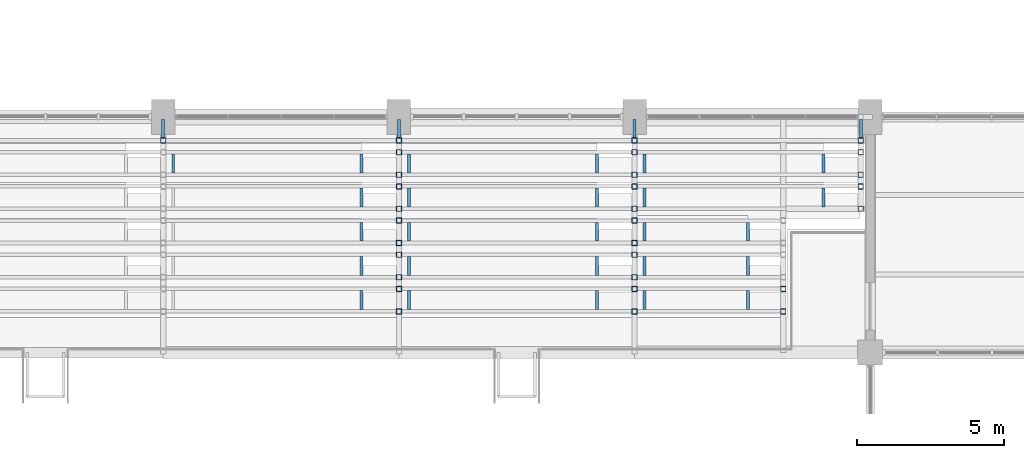
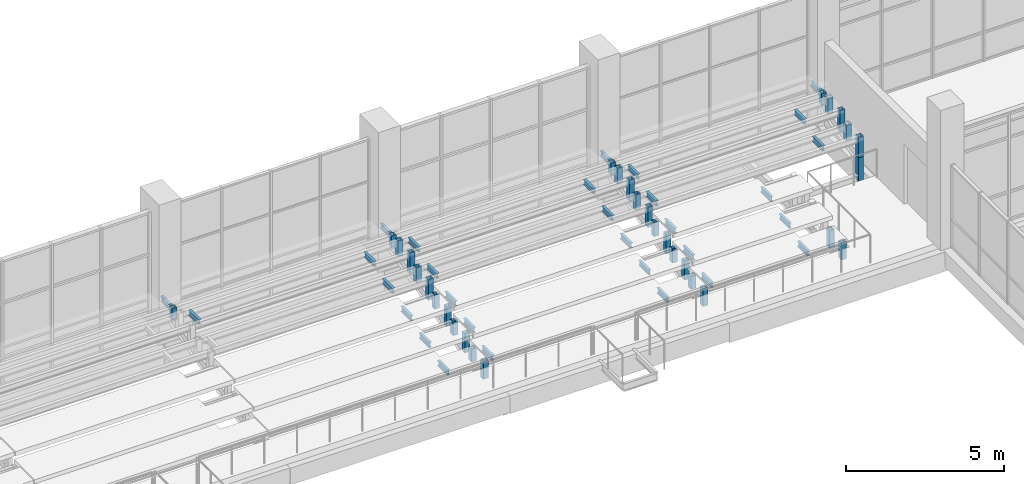
# One storey, part 67 of 122: 31 members, 30 beams.
"""IFC4 building model written with IfcOpenShell, lengths in metres."""

import ifcopenshell
import ifcopenshell.guid

model = None  # the IFC model being written
_history = None  # IfcOwnerHistory: only IFC2X3 demands one
_inside = {}  # id of a spatial element -> (the spatial element, [elements in it])
_under = {}  # id of a project, library or spatial element -> (it, [spatial elements below it])
_declared = {}  # id of a project -> (the project, [libraries it declares])
_typed = {}  # id of a type object -> (the type object, [elements of that type])
_made_of = {}  # id of a material, layer set ... -> (it, [elements and type objects made of it])


def new_model(schema):
    """Start an empty IFC model of exactly this schema.

    Asked for "IFC4X3", IfcOpenShell would pick the latest addendum, in which some entities
    have other attributes; the version numbers below select the first issue.
    IFC2X3 requires an IfcOwnerHistory on every rooted entity: one is made here for all.
    """
    global model, _history
    if schema == "IFC4X3":
        model = ifcopenshell.file(schema_version=(4, 3, 0, 0))
    else:
        model = ifcopenshell.file(schema=schema)
    _inside.clear()
    _under.clear()
    _declared.clear()
    _typed.clear()
    _made_of.clear()
    _history = None
    if model.schema == "IFC2X3":
        org = make("IfcOrganization", Name="unknown")
        user = make(
            "IfcPersonAndOrganization",
            ThePerson=make("IfcPerson", FamilyName="unknown"),
            TheOrganization=org,
        )
        app = make(
            "IfcApplication",
            ApplicationDeveloper=org,
            Version="unknown",
            ApplicationFullName="unknown",
            ApplicationIdentifier="unknown",
        )
        _history = make(
            "IfcOwnerHistory",
            OwningUser=user,
            OwningApplication=app,
            ChangeAction="ADDED",
            CreationDate=0,
        )
    return model


def make(cls, **values):
    """One entity of the class cls with the attributes given. An attribute that is None is left unset."""
    return model.create_entity(
        cls, **{name: value for name, value in values.items() if value is not None}
    )


def rooted(cls, **values):
    """An entity with a GlobalId (a new one), such as an element, a storey or a relation."""
    return make(cls, GlobalId=ifcopenshell.guid.new(), OwnerHistory=_history, **values)


def si_unit(unit_type, name, prefix=None):
    """IfcSIUnit, for example si_unit("LENGTHUNIT", "METRE", prefix="MILLI")."""
    return make("IfcSIUnit", UnitType=unit_type, Prefix=prefix, Name=name)


def assignment(units):
    """IfcUnitAssignment: the units of a project."""
    return None if units is None else make("IfcUnitAssignment", Units=units)


def point(xyz):
    """IfcCartesianPoint."""
    return None if xyz is None else make("IfcCartesianPoint", Coordinates=xyz)


def direction(xyz):
    """IfcDirection."""
    return None if xyz is None else make("IfcDirection", DirectionRatios=xyz)


def frame(location, z_axis=None, x_axis=None):
    """IfcAxis2Placement3D, a coordinate frame: its origin and axes. An axis left out is left unset."""
    return make(
        "IfcAxis2Placement3D",
        Location=point(location),
        Axis=direction(z_axis),
        RefDirection=direction(x_axis),
    )


def frame_2d(location, x_axis=None):
    """IfcAxis2Placement2D, a coordinate frame in the plane: its origin and x axis."""
    return make(
        "IfcAxis2Placement2D", Location=point(location), RefDirection=direction(x_axis)
    )


def origin():
    """The frame at (0, 0, 0) with its axes left unset."""
    return frame((0.0, 0.0, 0.0))


def origin_2d():
    """The frame at (0, 0) in the plane with its x axis left unset."""
    return frame_2d((0.0, 0.0))


def place(relative_to, where):
    """IfcLocalPlacement: puts the frame where relative to a parent placement (None: the world)."""
    return make(
        "IfcLocalPlacement", PlacementRelTo=relative_to, RelativePlacement=where
    )


def context(
    kind, dimensions, precision=None, world=None, true_north=None, identifier=None
):
    """IfcGeometricRepresentationContext, for example the 3D "Model" context."""
    return make(
        "IfcGeometricRepresentationContext",
        ContextIdentifier=identifier,
        ContextType=kind,
        CoordinateSpaceDimension=dimensions,
        Precision=precision,
        WorldCoordinateSystem=world,
        TrueNorth=true_north,
    )


def subcontext(parent, identifier, kind, view, scale=None):
    """IfcGeometricRepresentationSubContext, for example "Body" below "Model"."""
    return make(
        "IfcGeometricRepresentationSubContext",
        ContextIdentifier=identifier,
        ContextType=kind,
        ParentContext=parent,
        TargetScale=scale,
        TargetView=view,
    )


def project(units=None, contexts=None):
    """IfcProject with its units and contexts."""
    return rooted(
        "IfcProject",
        Name="project",
        RepresentationContexts=contexts,
        UnitsInContext=assignment(units),
    )


def spatial(cls, under=None, at=None, **own):
    """A site, building, storey or space (cls), placed at a placement, below another one or the project."""
    s = rooted(cls, ObjectPlacement=at, **own)
    if under is not None:
        _under.setdefault(under.id(), (under, []))[1].append(s)
    return s


def profile(cls, at=None, kind="AREA", **sizes):
    """A parametric profile (cls). Its sizes go by their IFC names, for example OverallWidth=200.0."""
    return make(cls, ProfileType=kind, Position=at, **sizes)


def hollow_rectangle(**sizes):
    """IfcRectangleHollowProfileDef."""
    return profile("IfcRectangleHollowProfileDef", **sizes)


def i_section(**sizes):
    """IfcIShapeProfileDef."""
    return profile("IfcIShapeProfileDef", **sizes)


def extrude(swept, where, along, depth):
    """IfcExtrudedAreaSolid: the profile swept, set in the frame where, extruded along a direction by depth."""
    return make(
        "IfcExtrudedAreaSolid",
        SweptArea=swept,
        Position=where,
        ExtrudedDirection=direction(along),
        Depth=depth,
    )


def shape(context_of_items, identifier, shape_type, items):
    """IfcShapeRepresentation: the items that make up one representation, for example the "Body"."""
    return make(
        "IfcShapeRepresentation",
        ContextOfItems=context_of_items,
        RepresentationIdentifier=identifier,
        RepresentationType=shape_type,
        Items=items,
    )


def material(Name=None, Category=None):
    """IfcMaterial."""
    return make("IfcMaterial", Name=Name, Category=Category)


def material_profile(
    of_material, cross_section, Name=None, Category=None, Priority=None
):
    """IfcMaterialProfile: a cross section and its material."""
    return make(
        "IfcMaterialProfile",
        Name=Name,
        Material=of_material,
        Profile=cross_section,
        Priority=Priority,
        Category=Category,
    )


def profile_set(profiles, Name=None, composite=None):
    """IfcMaterialProfileSet."""
    return make(
        "IfcMaterialProfileSet",
        Name=Name,
        MaterialProfiles=profiles,
        CompositeProfile=composite,
    )


def made_of(thing, what):
    """Note that an element or type object is made of a material, layer set ...; save() writes the relation."""
    if what is not None:
        _made_of.setdefault(what.id(), (what, []))[1].append(thing)
    return thing


def type_object(cls, material=None, **own):
    """A type object (cls), such as IfcWallType, which elements share."""
    return made_of(rooted(cls, **own), material)


def element(
    cls,
    number,
    at=None,
    inside=None,
    cuts=None,
    type_object=None,
    material=None,
    context=None,
    identifier="Body",
    shape_type=None,
    held_by="IfcProductDefinitionShape",
    body=None,
    shapes=None,
    **own,
):
    """One element of the class cls, such as IfcWall. Its Tag is "e" and its number.

    at: its placement. inside: the storey or other place that contains it. cuts: it is an
    opening in that element (IfcRelVoidsElement). A single representation is given by context,
    identifier, shape_type and body (its items); several are given by shapes. held_by: the class
    of the entity that holds the representations. save() writes the other relations.
    """
    e = rooted(cls, Tag="e%d" % number, ObjectPlacement=at, **own)
    if body is not None:
        shapes = [shape(context, identifier, shape_type, body)]
    if shapes is not None:
        e.Representation = make(held_by, Representations=shapes)
    if inside is not None:
        _inside.setdefault(inside.id(), (inside, []))[1].append(e)
    if cuts is not None:
        rooted(
            "IfcRelVoidsElement", RelatingBuildingElement=cuts, RelatedOpeningElement=e
        )
    if type_object is not None:
        _typed.setdefault(type_object.id(), (type_object, []))[1].append(e)
    return made_of(e, material)


def aggregate(whole, parts):
    """IfcRelAggregates: a whole, such as a stair, and the parts it consists of."""
    return rooted("IfcRelAggregates", RelatingObject=whole, RelatedObjects=parts)


def save(model, path):
    """Write the relations noted so far, then the file.

    IfcRelAggregates (storeys below a building ...), IfcRelContainedInSpatialStructure (elements
    in a storey), IfcRelDefinesByType, IfcRelAssociatesMaterial and IfcRelDeclares: one each for
    every whole, place, type object, material and project.
    """
    for whole, parts in _under.values():
        aggregate(whole, parts)
    for where, things in _inside.values():
        rooted(
            "IfcRelContainedInSpatialStructure",
            RelatedElements=things,
            RelatingStructure=where,
        )
    for kind, things in _typed.values():
        rooted("IfcRelDefinesByType", RelatedObjects=things, RelatingType=kind)
    for what, things in _made_of.values():
        rooted("IfcRelAssociatesMaterial", RelatedObjects=things, RelatingMaterial=what)
    for by, libraries in _declared.values():
        rooted("IfcRelDeclares", RelatingContext=by, RelatedDefinitions=libraries)
    model.write(path)


model = new_model("IFC4")

# Units and contexts
model_context = context("Model", 3, precision=1e-05, world=origin(), true_north=direction((0.0, 1.0)))
body_context = subcontext(model_context, "Body", "Model", "MODEL_VIEW")
ifc_project = project(units=[si_unit("LENGTHUNIT", "METRE"), si_unit("AREAUNIT", "SQUARE_METRE"), si_unit("VOLUMEUNIT", "CUBIC_METRE"), si_unit("PLANEANGLEUNIT", "RADIAN"), si_unit("MASSUNIT", "GRAM", prefix="KILO")], contexts=[model_context])

# Site, building, storey
site_placement = place(None, origin())
site = spatial("IfcSite", under=ifc_project, at=site_placement, CompositionType="ELEMENT")
building_placement = place(site_placement, origin())
building = spatial("IfcBuilding", under=site, at=building_placement, Name="Tenunan Teduh Sports Hall", CompositionType="ELEMENT")
storey_placement = place(building_placement, frame((0.0, 0.0, 5.39990234375)))
storey = spatial("IfcBuildingStorey", under=building, at=storey_placement, Name="L01", CompositionType="ELEMENT", Elevation=5.39990234375)

# Beams
ifc_material_1 = material(Name="Steel S355", Category="steel")
ifc_material_profile_1 = material_profile(ifc_material_1, i_section(OverallWidth=0.10009765625, OverallDepth=0.199951171875, WebThickness=0.005615234375, FlangeThickness=0.008544921875, FilletRadius=0.011962890625, at=origin_2d()), Name="IPE 200")
ifc_profile_set_1 = profile_set([ifc_material_profile_1], Name="Steel S355")
beam_type = type_object("IfcBeamType", Name="JST-IPE200", PredefinedType="JOIST", material=ifc_profile_set_1)
for number, where, z_axis, x_axis, name in (
    (1, (30.0, 45.2900390625, 1.380126953125), (0.0, 1.0, 0.0), (-1.0, 0.0, 0.0), "BM-J-01-L01-2396"),
    (2, (38.0, 45.2900390625, 1.380126953125), (0.0, 1.0, 0.0), (-1.0, 0.0, 0.0), "BM-J-01-L01-2398"),
    (3, (46.0, 45.2900390625, 1.380126953125), (0.0, 1.0, 0.0), (-1.0, 0.0, 0.0), "BM-J-01-L01-2400"),
    (4, (53.679931640625, 45.2900390625, 1.380126953125), (0.0, 1.0, 0.0), (-1.0, 0.0, 0.0), "BM-J-01-L01-2403"),
):
    element("IfcBeam", number, at=place(storey_placement, frame(where, z_axis=z_axis, x_axis=x_axis)), inside=storey, type_object=beam_type, Name=name, PredefinedType="JOIST", context=body_context, shape_type="SweptSolid", body=[
        extrude(i_section(OverallWidth=0.10009765625, OverallDepth=0.199951171875, WebThickness=0.005615234375, FlangeThickness=0.008544921875, FilletRadius=0.011962890625, at=origin_2d()), origin(), (0.0, 0.0, 1.0), 0.619873046875),
    ])
beam_1_placement = place(storey_placement, frame((36.72998046875, 39.4599609375, 0.070068359375), z_axis=(0.0, 1.0, 0.0), x_axis=(-1.0, 0.0, 0.0)))
element("IfcBeam", 5, at=beam_1_placement, inside=storey, type_object=beam_type, Name="BM-J-01-L01-2479", PredefinedType="JOIST", context=body_context, shape_type="SweptSolid", body=[
    extrude(i_section(OverallWidth=0.10009765625, OverallDepth=0.199951171875, WebThickness=0.005615234375, FlangeThickness=0.008544921875, FilletRadius=0.011962890625, at=origin_2d()), origin(), (0.0, 0.0, 1.0), 0.64013671875),
])
for number, where, z_axis, x_axis, name in (
    (6, (36.72998046875, 40.6201171875, 0.425048828125), (0.0, 1.0, 0.0), (-1.0, 0.0, 0.0), "BM-J-01-L01-2483"),
    (7, (36.72998046875, 41.780029296875, 0.75), (0.0, 1.0, 0.0), (-1.0, 0.0, 0.0), "BM-J-01-L01-2487"),
):
    element("IfcBeam", number, at=place(storey_placement, frame(where, z_axis=z_axis, x_axis=x_axis)), inside=storey, type_object=beam_type, Name=name, PredefinedType="JOIST", context=body_context, shape_type="SweptSolid", body=[
        extrude(i_section(OverallWidth=0.10009765625, OverallDepth=0.199951171875, WebThickness=0.005615234375, FlangeThickness=0.008544921875, FilletRadius=0.011962890625, at=origin_2d()), origin(), (0.0, 0.0, 1.0), 0.639892578125),
    ])
beam_2_placement = place(storey_placement, frame((36.72998046875, 42.93994140625, 1.10498046875), z_axis=(0.0, 1.0, 0.0), x_axis=(-1.0, 0.0, 0.0)))
element("IfcBeam", 8, at=beam_2_placement, inside=storey, type_object=beam_type, Name="BM-J-01-L01-2491", PredefinedType="JOIST", context=body_context, shape_type="SweptSolid", body=[
    extrude(i_section(OverallWidth=0.10009765625, OverallDepth=0.199951171875, WebThickness=0.005615234375, FlangeThickness=0.008544921875, FilletRadius=0.011962890625, at=origin_2d()), origin(), (0.0, 0.0, 1.0), 0.64013671875),
])
for number, where, z_axis, x_axis, name in (
    (9, (30.340087890625, 44.10009765625, 1.43017578125), (0.0, 1.0, 0.0), (-1.0, 0.0, 0.0), "BM-J-01-L01-2494"),
    (10, (36.72998046875, 44.10009765625, 1.43017578125), (0.0, 1.0, 0.0), (-1.0, 0.0, 0.0), "BM-J-01-L01-2495"),
):
    element("IfcBeam", number, at=place(storey_placement, frame(where, z_axis=z_axis, x_axis=x_axis)), inside=storey, type_object=beam_type, Name=name, PredefinedType="JOIST", context=body_context, shape_type="SweptSolid", body=[
        extrude(i_section(OverallWidth=0.10009765625, OverallDepth=0.199951171875, WebThickness=0.005615234375, FlangeThickness=0.008544921875, FilletRadius=0.011962890625, at=origin_2d()), origin(), (0.0, 0.0, 1.0), 0.639892578125),
    ])
for number, where, z_axis, x_axis, name in (
    (11, (38.340087890625, 39.4599609375, 0.070068359375), (0.0, 1.0, 0.0), (-1.0, 0.0, 0.0), "BM-J-01-L01-2498"),
    (12, (44.72998046875, 39.4599609375, 0.070068359375), (0.0, 1.0, 0.0), (-1.0, 0.0, 0.0), "BM-J-01-L01-2499"),
):
    element("IfcBeam", number, at=place(storey_placement, frame(where, z_axis=z_axis, x_axis=x_axis)), inside=storey, type_object=beam_type, Name=name, PredefinedType="JOIST", context=body_context, shape_type="SweptSolid", body=[
        extrude(i_section(OverallWidth=0.10009765625, OverallDepth=0.199951171875, WebThickness=0.005615234375, FlangeThickness=0.008544921875, FilletRadius=0.011962890625, at=origin_2d()), origin(), (0.0, 0.0, 1.0), 0.64013671875),
    ])
for number, where, z_axis, x_axis, name in (
    (13, (38.340087890625, 40.6201171875, 0.425048828125), (0.0, 1.0, 0.0), (-1.0, 0.0, 0.0), "BM-J-01-L01-2502"),
    (14, (44.72998046875, 40.6201171875, 0.425048828125), (0.0, 1.0, 0.0), (-1.0, 0.0, 0.0), "BM-J-01-L01-2503"),
    (15, (38.340087890625, 41.780029296875, 0.75), (0.0, 1.0, 0.0), (-1.0, 0.0, 0.0), "BM-J-01-L01-2506"),
    (16, (44.72998046875, 41.780029296875, 0.75), (0.0, 1.0, 0.0), (-1.0, 0.0, 0.0), "BM-J-01-L01-2507"),
):
    element("IfcBeam", number, at=place(storey_placement, frame(where, z_axis=z_axis, x_axis=x_axis)), inside=storey, type_object=beam_type, Name=name, PredefinedType="JOIST", context=body_context, shape_type="SweptSolid", body=[
        extrude(i_section(OverallWidth=0.10009765625, OverallDepth=0.199951171875, WebThickness=0.005615234375, FlangeThickness=0.008544921875, FilletRadius=0.011962890625, at=origin_2d()), origin(), (0.0, 0.0, 1.0), 0.639892578125),
    ])
for number, where, z_axis, x_axis, name in (
    (17, (38.340087890625, 42.93994140625, 1.10498046875), (0.0, 1.0, 0.0), (-1.0, 0.0, 0.0), "BM-J-01-L01-2510"),
    (18, (44.72998046875, 42.93994140625, 1.10498046875), (0.0, 1.0, 0.0), (-1.0, 0.0, 0.0), "BM-J-01-L01-2511"),
):
    element("IfcBeam", number, at=place(storey_placement, frame(where, z_axis=z_axis, x_axis=x_axis)), inside=storey, type_object=beam_type, Name=name, PredefinedType="JOIST", context=body_context, shape_type="SweptSolid", body=[
        extrude(i_section(OverallWidth=0.10009765625, OverallDepth=0.199951171875, WebThickness=0.005615234375, FlangeThickness=0.008544921875, FilletRadius=0.011962890625, at=origin_2d()), origin(), (0.0, 0.0, 1.0), 0.64013671875),
    ])
for number, where, z_axis, x_axis, name in (
    (19, (38.340087890625, 44.10009765625, 1.43017578125), (0.0, 1.0, 0.0), (-1.0, 0.0, 0.0), "BM-J-01-L01-2514"),
    (20, (44.72998046875, 44.10009765625, 1.43017578125), (0.0, 1.0, 0.0), (-1.0, 0.0, 0.0), "BM-J-01-L01-2515"),
):
    element("IfcBeam", number, at=place(storey_placement, frame(where, z_axis=z_axis, x_axis=x_axis)), inside=storey, type_object=beam_type, Name=name, PredefinedType="JOIST", context=body_context, shape_type="SweptSolid", body=[
        extrude(i_section(OverallWidth=0.10009765625, OverallDepth=0.199951171875, WebThickness=0.005615234375, FlangeThickness=0.008544921875, FilletRadius=0.011962890625, at=origin_2d()), origin(), (0.0, 0.0, 1.0), 0.639892578125),
    ])
for number, where, z_axis, x_axis, name in (
    (21, (46.340087890625, 39.4599609375, 0.070068359375), (0.0, 1.0, 0.0), (-1.0, 0.0, 0.0), "BM-J-01-L01-2518"),
    (22, (49.85009765625, 39.4599609375, 0.070068359375), (0.0, 1.0, 0.0), (-1.0, 0.0, 0.0), "BM-J-01-L01-2519"),
):
    element("IfcBeam", number, at=place(storey_placement, frame(where, z_axis=z_axis, x_axis=x_axis)), inside=storey, type_object=beam_type, Name=name, PredefinedType="JOIST", context=body_context, shape_type="SweptSolid", body=[
        extrude(i_section(OverallWidth=0.10009765625, OverallDepth=0.199951171875, WebThickness=0.005615234375, FlangeThickness=0.008544921875, FilletRadius=0.011962890625, at=origin_2d()), origin(), (0.0, 0.0, 1.0), 0.64013671875),
    ])
for number, where, z_axis, x_axis, name in (
    (23, (46.340087890625, 40.6201171875, 0.425048828125), (0.0, 1.0, 0.0), (-1.0, 0.0, 0.0), "BM-J-01-L01-2522"),
    (24, (49.85009765625, 40.6201171875, 0.425048828125), (0.0, 1.0, 0.0), (-1.0, 0.0, 0.0), "BM-J-01-L01-2523"),
    (25, (46.340087890625, 41.780029296875, 0.75), (0.0, 1.0, 0.0), (-1.0, 0.0, 0.0), "BM-J-01-L01-2526"),
    (26, (49.85009765625, 41.780029296875, 0.75), (0.0, 1.0, 0.0), (-1.0, 0.0, 0.0), "BM-J-01-L01-2527"),
):
    element("IfcBeam", number, at=place(storey_placement, frame(where, z_axis=z_axis, x_axis=x_axis)), inside=storey, type_object=beam_type, Name=name, PredefinedType="JOIST", context=body_context, shape_type="SweptSolid", body=[
        extrude(i_section(OverallWidth=0.10009765625, OverallDepth=0.199951171875, WebThickness=0.005615234375, FlangeThickness=0.008544921875, FilletRadius=0.011962890625, at=origin_2d()), origin(), (0.0, 0.0, 1.0), 0.639892578125),
    ])
for number, where, z_axis, x_axis, name in (
    (27, (46.340087890625, 42.93994140625, 1.10498046875), (0.0, 1.0, 0.0), (-1.0, 0.0, 0.0), "BM-J-01-L01-2530"),
    (28, (52.409912109375, 42.93994140625, 1.10498046875), (0.0, 1.0, 0.0), (-1.0, 0.0, 0.0), "BM-J-01-L01-2531"),
):
    element("IfcBeam", number, at=place(storey_placement, frame(where, z_axis=z_axis, x_axis=x_axis)), inside=storey, type_object=beam_type, Name=name, PredefinedType="JOIST", context=body_context, shape_type="SweptSolid", body=[
        extrude(i_section(OverallWidth=0.10009765625, OverallDepth=0.199951171875, WebThickness=0.005615234375, FlangeThickness=0.008544921875, FilletRadius=0.011962890625, at=origin_2d()), origin(), (0.0, 0.0, 1.0), 0.64013671875),
    ])
for number, where, z_axis, x_axis, name in (
    (29, (46.340087890625, 44.10009765625, 1.43017578125), (0.0, 1.0, 0.0), (-1.0, 0.0, 0.0), "BM-J-01-L01-2534"),
    (30, (52.409912109375, 44.10009765625, 1.43017578125), (0.0, 1.0, 0.0), (-1.0, 0.0, 0.0), "BM-J-01-L01-2535"),
):
    element("IfcBeam", number, at=place(storey_placement, frame(where, z_axis=z_axis, x_axis=x_axis)), inside=storey, type_object=beam_type, Name=name, PredefinedType="JOIST", context=body_context, shape_type="SweptSolid", body=[
        extrude(i_section(OverallWidth=0.10009765625, OverallDepth=0.199951171875, WebThickness=0.005615234375, FlangeThickness=0.008544921875, FilletRadius=0.011962890625, at=origin_2d()), origin(), (0.0, 0.0, 1.0), 0.639892578125),
    ])

# Members
ifc_material_2 = material(Name="Steel S355", Category="steel")
ifc_material_profile_2 = material_profile(ifc_material_2, hollow_rectangle(XDim=0.179931640625, YDim=0.179931640625, WallThickness=0.010009765625, at=origin_2d()), Name="SHS 180x180x10.0")
ifc_profile_set_2 = profile_set([ifc_material_profile_2], Name="Steel S355")
member_type = type_object("IfcMemberType", Name="MEM-ST-SHS180", PredefinedType="STRUT", material=ifc_profile_set_2)
for number, where, z_axis, x_axis, name in (
    (31, (30.0, 45.199951171875, 1.03515625), (0.0, 0.0, 1.0), (1.0, 0.0, 0.0), "MEM-VS-03-L01-1368"),
    (32, (38.0, 45.199951171875, 1.03515625), (0.0, 0.0, 1.0), (1.0, 0.0, 0.0), "MEM-VS-03-L01-1369"),
    (33, (46.0, 45.199951171875, 1.03515625), (0.0, 0.0, 1.0), (1.0, 0.0, 0.0), "MEM-VS-03-L01-1370"),
):
    element("IfcMember", number, at=place(storey_placement, frame(where, z_axis=z_axis, x_axis=x_axis)), inside=storey, type_object=member_type, Name=name, PredefinedType="STRUT", context=body_context, shape_type="SweptSolid", body=[
        extrude(hollow_rectangle(XDim=0.179931640625, YDim=0.179931640625, WallThickness=0.010009765625, at=origin_2d()), origin(), (0.0, 0.0, 1.0), 0.44482421875),
    ])
member_1_placement = place(storey_placement, frame((53.679931640625, 42.8798828125, -0.5), z_axis=(0.0, 0.0, 1.0), x_axis=(1.0, 0.0, 0.0)))
element("IfcMember", 34, at=member_1_placement, inside=storey, type_object=member_type, Name="MEM-VS-03-L01-1371", PredefinedType="STRUT", context=body_context, shape_type="SweptSolid", body=[
    extrude(hollow_rectangle(XDim=0.179931640625, YDim=0.179931640625, WallThickness=0.010009765625, at=origin_2d()), origin(), (0.0, 0.0, 1.0), 0.908447265625),
])
member_2_placement = place(storey_placement, frame((53.679931640625, 45.199951171875, 1.03515625), z_axis=(0.0, 0.0, 1.0), x_axis=(1.0, 0.0, 0.0)))
element("IfcMember", 35, at=member_2_placement, inside=storey, type_object=member_type, Name="MEM-VS-03-L01-1373", PredefinedType="STRUT", context=body_context, shape_type="SweptSolid", body=[
    extrude(hollow_rectangle(XDim=0.179931640625, YDim=0.179931640625, WallThickness=0.010009765625, at=origin_2d()), origin(), (0.0, 0.0, 1.0), 0.44482421875),
])
member_3_placement = place(storey_placement, frame((38.0, 39.39990234375, -0.523681640625), z_axis=(0.0, 0.0, 1.0), x_axis=(1.0, 0.0, 0.0)))
element("IfcMember", 36, at=member_3_placement, inside=storey, type_object=member_type, Name="MEM-VS-03-L01-1414", PredefinedType="STRUT", context=body_context, shape_type="SweptSolid", body=[
    extrude(hollow_rectangle(XDim=0.179931640625, YDim=0.179931640625, WallThickness=0.010009765625, at=origin_2d()), origin(), (0.0, 0.0, 1.0), 0.69384765625),
])
member_4_placement = place(storey_placement, frame((38.0, 40.159912109375, -0.3193359375), z_axis=(0.0, 0.0, 1.0), x_axis=(1.0, 0.0, 0.0)))
element("IfcMember", 37, at=member_4_placement, inside=storey, type_object=member_type, Name="MEM-VS-03-L01-1415", PredefinedType="STRUT", context=body_context, shape_type="SweptSolid", body=[
    extrude(hollow_rectangle(XDim=0.179931640625, YDim=0.179931640625, WallThickness=0.010009765625, at=origin_2d()), origin(), (0.0, 0.0, 1.0), 0.489501953125),
])
member_5_placement = place(storey_placement, frame((38.0, 40.56005859375, -0.2119140625), z_axis=(0.0, 0.0, 1.0), x_axis=(1.0, 0.0, 0.0)))
element("IfcMember", 38, at=member_5_placement, inside=storey, type_object=member_type, Name="MEM-VS-03-L01-1416", PredefinedType="STRUT", context=body_context, shape_type="SweptSolid", body=[
    extrude(hollow_rectangle(XDim=0.179931640625, YDim=0.179931640625, WallThickness=0.010009765625, at=origin_2d()), origin(), (0.0, 0.0, 1.0), 0.737060546875),
])
member_6_placement = place(storey_placement, frame((38.0, 41.320068359375, -0.007568359375), z_axis=(0.0, 0.0, 1.0), x_axis=(1.0, 0.0, 0.0)))
element("IfcMember", 39, at=member_6_placement, inside=storey, type_object=member_type, Name="MEM-VS-03-L01-1417", PredefinedType="STRUT", context=body_context, shape_type="SweptSolid", body=[
    extrude(hollow_rectangle(XDim=0.179931640625, YDim=0.179931640625, WallThickness=0.010009765625, at=origin_2d()), origin(), (0.0, 0.0, 1.0), 0.53271484375),
])
member_7_placement = place(storey_placement, frame((38.0, 41.719970703125, 0.099853515625), z_axis=(0.0, 0.0, 1.0), x_axis=(1.0, 0.0, 0.0)))
element("IfcMember", 40, at=member_7_placement, inside=storey, type_object=member_type, Name="MEM-VS-03-L01-1418", PredefinedType="STRUT", context=body_context, shape_type="SweptSolid", body=[
    extrude(hollow_rectangle(XDim=0.179931640625, YDim=0.179931640625, WallThickness=0.010009765625, at=origin_2d()), origin(), (0.0, 0.0, 1.0), 0.750244140625),
])
member_8_placement = place(storey_placement, frame((38.0, 42.47998046875, 0.30419921875), z_axis=(0.0, 0.0, 1.0), x_axis=(1.0, 0.0, 0.0)))
element("IfcMember", 41, at=member_8_placement, inside=storey, type_object=member_type, Name="MEM-VS-03-L01-1419", PredefinedType="STRUT", context=body_context, shape_type="SweptSolid", body=[
    extrude(hollow_rectangle(XDim=0.179931640625, YDim=0.179931640625, WallThickness=0.010009765625, at=origin_2d()), origin(), (0.0, 0.0, 1.0), 0.5458984375),
])
member_9_placement = place(storey_placement, frame((38.0, 42.8798828125, 0.41162109375), z_axis=(0.0, 0.0, 1.0), x_axis=(1.0, 0.0, 0.0)))
element("IfcMember", 42, at=member_9_placement, inside=storey, type_object=member_type, Name="MEM-VS-03-L01-1420", PredefinedType="STRUT", context=body_context, shape_type="SweptSolid", body=[
    extrude(hollow_rectangle(XDim=0.179931640625, YDim=0.179931640625, WallThickness=0.010009765625, at=origin_2d()), origin(), (0.0, 0.0, 1.0), 0.79345703125),
])
member_10_placement = place(storey_placement, frame((38.0, 43.639892578125, 0.615966796875), z_axis=(0.0, 0.0, 1.0), x_axis=(1.0, 0.0, 0.0)))
element("IfcMember", 43, at=member_10_placement, inside=storey, type_object=member_type, Name="MEM-VS-03-L01-1421", PredefinedType="STRUT", context=body_context, shape_type="SweptSolid", body=[
    extrude(hollow_rectangle(XDim=0.179931640625, YDim=0.179931640625, WallThickness=0.010009765625, at=origin_2d()), origin(), (0.0, 0.0, 1.0), 0.589111328125),
])
member_11_placement = place(storey_placement, frame((38.0, 44.0400390625, 0.723388671875), z_axis=(0.0, 0.0, 1.0), x_axis=(1.0, 0.0, 0.0)))
element("IfcMember", 44, at=member_11_placement, inside=storey, type_object=member_type, Name="MEM-VS-03-L01-1422", PredefinedType="STRUT", context=body_context, shape_type="SweptSolid", body=[
    extrude(hollow_rectangle(XDim=0.179931640625, YDim=0.179931640625, WallThickness=0.010009765625, at=origin_2d()), origin(), (0.0, 0.0, 1.0), 0.806640625),
])
member_12_placement = place(storey_placement, frame((38.0, 44.800048828125, 0.927490234375), z_axis=(0.0, 0.0, 1.0), x_axis=(1.0, 0.0, 0.0)))
element("IfcMember", 45, at=member_12_placement, inside=storey, type_object=member_type, Name="MEM-VS-03-L01-1423", PredefinedType="STRUT", context=body_context, shape_type="SweptSolid", body=[
    extrude(hollow_rectangle(XDim=0.179931640625, YDim=0.179931640625, WallThickness=0.010009765625, at=origin_2d()), origin(), (0.0, 0.0, 1.0), 0.6025390625),
])
for number, where, z_axis, x_axis, name in (
    (46, (51.050048828125, 39.39990234375, -0.5), (0.0, 0.0, 1.0), (1.0, 0.0, 0.0), "MEM-VS-03-L01-1424"),
    (47, (51.050048828125, 40.159912109375, -0.5), (0.0, 0.0, 1.0), (1.0, 0.0, 0.0), "MEM-VS-03-L01-1425"),
):
    element("IfcMember", number, at=place(storey_placement, frame(where, z_axis=z_axis, x_axis=x_axis)), inside=storey, type_object=member_type, Name=name, PredefinedType="STRUT", context=body_context, shape_type="SweptSolid", body=[
        extrude(hollow_rectangle(XDim=0.179931640625, YDim=0.179931640625, WallThickness=0.010009765625, at=origin_2d()), origin(), (0.0, 0.0, 1.0), 0.670166015625),
    ])
member_13_placement = place(storey_placement, frame((46.0, 39.39990234375, -0.523681640625), z_axis=(0.0, 0.0, 1.0), x_axis=(1.0, 0.0, 0.0)))
element("IfcMember", 48, at=member_13_placement, inside=storey, type_object=member_type, Name="MEM-VS-03-L01-1426", PredefinedType="STRUT", context=body_context, shape_type="SweptSolid", body=[
    extrude(hollow_rectangle(XDim=0.179931640625, YDim=0.179931640625, WallThickness=0.010009765625, at=origin_2d()), origin(), (0.0, 0.0, 1.0), 0.69384765625),
])
member_14_placement = place(storey_placement, frame((46.0, 40.159912109375, -0.3193359375), z_axis=(0.0, 0.0, 1.0), x_axis=(1.0, 0.0, 0.0)))
element("IfcMember", 49, at=member_14_placement, inside=storey, type_object=member_type, Name="MEM-VS-03-L01-1427", PredefinedType="STRUT", context=body_context, shape_type="SweptSolid", body=[
    extrude(hollow_rectangle(XDim=0.179931640625, YDim=0.179931640625, WallThickness=0.010009765625, at=origin_2d()), origin(), (0.0, 0.0, 1.0), 0.489501953125),
])
member_15_placement = place(storey_placement, frame((46.0, 40.56005859375, -0.2119140625), z_axis=(0.0, 0.0, 1.0), x_axis=(1.0, 0.0, 0.0)))
element("IfcMember", 50, at=member_15_placement, inside=storey, type_object=member_type, Name="MEM-VS-03-L01-1430", PredefinedType="STRUT", context=body_context, shape_type="SweptSolid", body=[
    extrude(hollow_rectangle(XDim=0.179931640625, YDim=0.179931640625, WallThickness=0.010009765625, at=origin_2d()), origin(), (0.0, 0.0, 1.0), 0.737060546875),
])
member_16_placement = place(storey_placement, frame((46.0, 41.320068359375, -0.007568359375), z_axis=(0.0, 0.0, 1.0), x_axis=(1.0, 0.0, 0.0)))
element("IfcMember", 51, at=member_16_placement, inside=storey, type_object=member_type, Name="MEM-VS-03-L01-1431", PredefinedType="STRUT", context=body_context, shape_type="SweptSolid", body=[
    extrude(hollow_rectangle(XDim=0.179931640625, YDim=0.179931640625, WallThickness=0.010009765625, at=origin_2d()), origin(), (0.0, 0.0, 1.0), 0.53271484375),
])
member_17_placement = place(storey_placement, frame((46.0, 41.719970703125, 0.099853515625), z_axis=(0.0, 0.0, 1.0), x_axis=(1.0, 0.0, 0.0)))
element("IfcMember", 52, at=member_17_placement, inside=storey, type_object=member_type, Name="MEM-VS-03-L01-1434", PredefinedType="STRUT", context=body_context, shape_type="SweptSolid", body=[
    extrude(hollow_rectangle(XDim=0.179931640625, YDim=0.179931640625, WallThickness=0.010009765625, at=origin_2d()), origin(), (0.0, 0.0, 1.0), 0.750244140625),
])
member_18_placement = place(storey_placement, frame((46.0, 42.47998046875, 0.30419921875), z_axis=(0.0, 0.0, 1.0), x_axis=(1.0, 0.0, 0.0)))
element("IfcMember", 53, at=member_18_placement, inside=storey, type_object=member_type, Name="MEM-VS-03-L01-1435", PredefinedType="STRUT", context=body_context, shape_type="SweptSolid", body=[
    extrude(hollow_rectangle(XDim=0.179931640625, YDim=0.179931640625, WallThickness=0.010009765625, at=origin_2d()), origin(), (0.0, 0.0, 1.0), 0.5458984375),
])
for number, where, z_axis, x_axis, name in (
    (54, (46.0, 42.8798828125, 0.41162109375), (0.0, 0.0, 1.0), (1.0, 0.0, 0.0), "MEM-VS-03-L01-1436"),
    (55, (53.679931640625, 42.8798828125, 0.41162109375), (0.0, 0.0, 1.0), (1.0, 0.0, 0.0), "MEM-VS-03-L01-1437"),
):
    element("IfcMember", number, at=place(storey_placement, frame(where, z_axis=z_axis, x_axis=x_axis)), inside=storey, type_object=member_type, Name=name, PredefinedType="STRUT", context=body_context, shape_type="SweptSolid", body=[
        extrude(hollow_rectangle(XDim=0.179931640625, YDim=0.179931640625, WallThickness=0.010009765625, at=origin_2d()), origin(), (0.0, 0.0, 1.0), 0.79345703125),
    ])
for number, where, z_axis, x_axis, name in (
    (56, (46.0, 43.639892578125, 0.615966796875), (0.0, 0.0, 1.0), (1.0, 0.0, 0.0), "MEM-VS-03-L01-1438"),
    (57, (53.679931640625, 43.639892578125, 0.615966796875), (0.0, 0.0, 1.0), (1.0, 0.0, 0.0), "MEM-VS-03-L01-1439"),
):
    element("IfcMember", number, at=place(storey_placement, frame(where, z_axis=z_axis, x_axis=x_axis)), inside=storey, type_object=member_type, Name=name, PredefinedType="STRUT", context=body_context, shape_type="SweptSolid", body=[
        extrude(hollow_rectangle(XDim=0.179931640625, YDim=0.179931640625, WallThickness=0.010009765625, at=origin_2d()), origin(), (0.0, 0.0, 1.0), 0.589111328125),
    ])
for number, where, z_axis, x_axis, name in (
    (58, (46.0, 44.0400390625, 0.723388671875), (0.0, 0.0, 1.0), (1.0, 0.0, 0.0), "MEM-VS-03-L01-1440"),
    (59, (53.679931640625, 44.0400390625, 0.723388671875), (0.0, 0.0, 1.0), (1.0, 0.0, 0.0), "MEM-VS-03-L01-1441"),
):
    element("IfcMember", number, at=place(storey_placement, frame(where, z_axis=z_axis, x_axis=x_axis)), inside=storey, type_object=member_type, Name=name, PredefinedType="STRUT", context=body_context, shape_type="SweptSolid", body=[
        extrude(hollow_rectangle(XDim=0.179931640625, YDim=0.179931640625, WallThickness=0.010009765625, at=origin_2d()), origin(), (0.0, 0.0, 1.0), 0.806640625),
    ])
for number, where, z_axis, x_axis, name in (
    (60, (46.0, 44.800048828125, 0.927490234375), (0.0, 0.0, 1.0), (1.0, 0.0, 0.0), "MEM-VS-03-L01-1442"),
    (61, (53.679931640625, 44.800048828125, 0.927490234375), (0.0, 0.0, 1.0), (1.0, 0.0, 0.0), "MEM-VS-03-L01-1443"),
):
    element("IfcMember", number, at=place(storey_placement, frame(where, z_axis=z_axis, x_axis=x_axis)), inside=storey, type_object=member_type, Name=name, PredefinedType="STRUT", context=body_context, shape_type="SweptSolid", body=[
        extrude(hollow_rectangle(XDim=0.179931640625, YDim=0.179931640625, WallThickness=0.010009765625, at=origin_2d()), origin(), (0.0, 0.0, 1.0), 0.6025390625),
    ])

save(model, "model.ifc")
